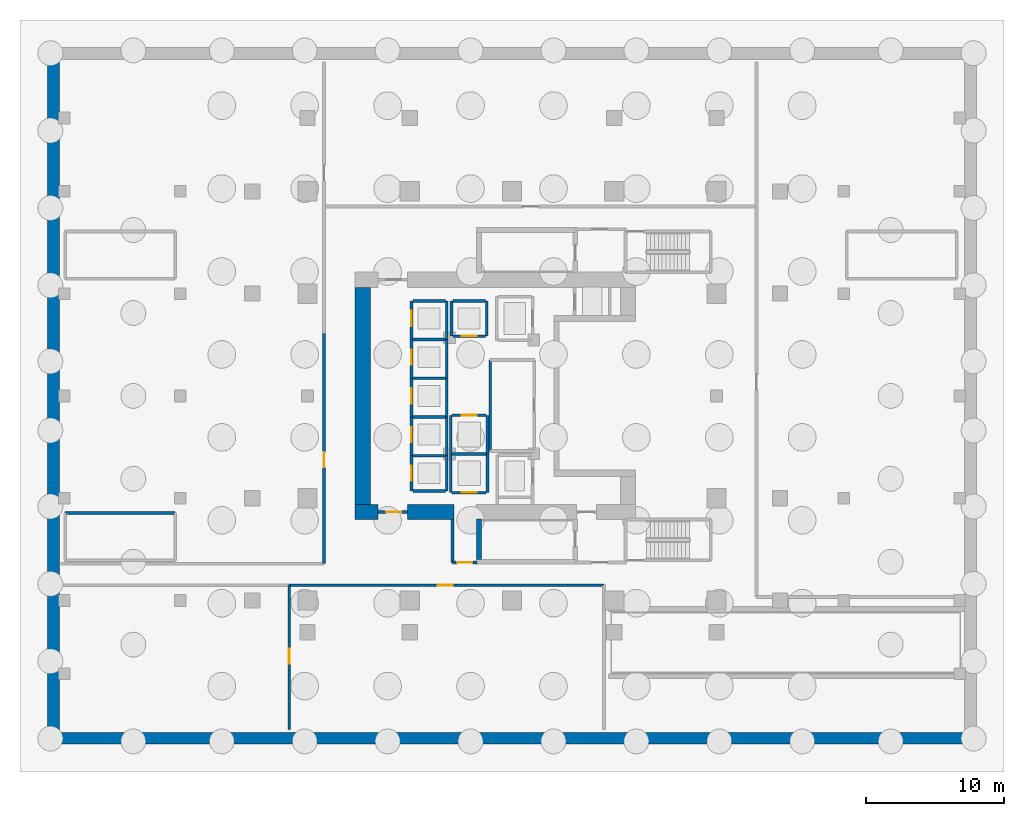
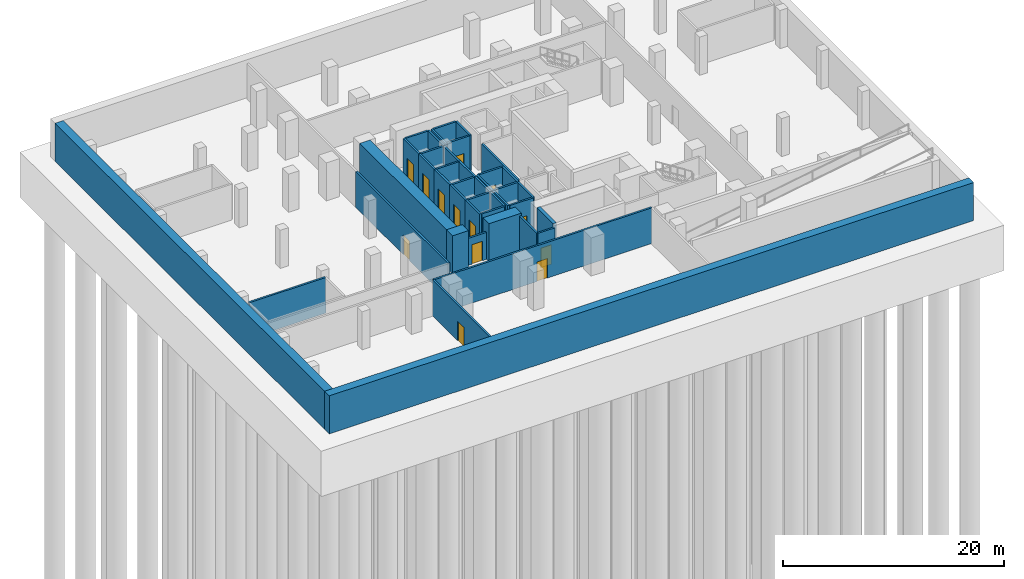
# One storey, part 2 of 6: 41 walls, 13 doors, 13 openings.
"""IFC4 building model written with IfcOpenShell, lengths in metres."""

from ifc_helpers import new_model, si_unit, direction, frame, frame_2d, origin, place, context, subcontext, project, spatial, rectangle, extrude, material, layer, layer_set, type_object, element, fill, save


model = new_model("IFC4")

# Units and contexts
model_context = context("Model", 3, precision=1e-05, world=origin(), true_north=direction((0.0, 1.0)))
body_context = subcontext(model_context, "Body", "Model", "MODEL_VIEW")
ifc_project = project(units=[si_unit("LENGTHUNIT", "METRE"), si_unit("AREAUNIT", "SQUARE_METRE"), si_unit("VOLUMEUNIT", "CUBIC_METRE"), si_unit("PLANEANGLEUNIT", "RADIAN"), si_unit("MASSUNIT", "GRAM", prefix="KILO")], contexts=[model_context])

# Site, building, storey
site_placement = place(None, origin())
site = spatial("IfcSite", under=ifc_project, at=site_placement, CompositionType="ELEMENT")
building_placement = place(site_placement, origin())
building = spatial("IfcBuilding", under=site, at=building_placement, Name="Khorvyn Point Tower", CompositionType="ELEMENT")
storey_placement = place(building_placement, frame((0.0, 0.0, -12.60009765625)))
storey = spatial("IfcBuildingStorey", under=building, at=storey_placement, Name="B3", CompositionType="ELEMENT", Elevation=-12.60009765625)

# Walls
ifc_material_1 = material(Name="Concrete C35/45", Category="concrete")
ifc_layer_1 = layer(ifc_material_1, 0.85009765625)
ifc_layer_set_1 = layer_set([ifc_layer_1], Name="Concrete C35/45 Basement Retaining Wall 850")
wall_type_1 = type_object("IfcWallType", Name="Concrete C35/45 Basement Retaining Wall 850", PredefinedType="SOLIDWALL", material=ifc_layer_set_1)
wall_1_placement = place(storey_placement, frame((-33.60009765625, -24.77490234375, 0.0), z_axis=(0.0, 0.0, 1.0), x_axis=(1.0, 0.0, 0.0)))
element("IfcWall", 1, at=wall_1_placement, inside=storey, type_object=wall_type_1, Name="B3 Basement Retaining Wall S", PredefinedType="SOLIDWALL", context=body_context, shape_type="SweptSolid", body=[
    extrude(rectangle(XDim=67.2001953125, YDim=0.85009765625, at=frame_2d((33.60009765625, 0.0))), origin(), (0.0, 0.0, 1.0), 4.2001953125),
])
wall_2_placement = place(storey_placement, frame((-33.175048828125, -24.35009765625, 0.0), z_axis=(0.0, 0.0, 1.0), x_axis=(0.0, 1.0, 0.0)))
element("IfcWall", 2, at=wall_2_placement, inside=storey, type_object=wall_type_1, Name="B3 Basement Retaining Wall W", PredefinedType="SOLIDWALL", context=body_context, shape_type="SweptSolid", body=[
    extrude(rectangle(XDim=48.7001953125, YDim=0.85009765625, at=frame_2d((24.35009765625, 0.0))), origin(), (0.0, 0.0, 1.0), 4.2001953125),
])

# Wall, opening, door
ifc_material_2 = material(Name="Concrete C35/45 masonry blockwork", Category="masonry")
ifc_layer_2 = layer(ifc_material_2, 0.199951171875)
ifc_layer_set_2 = layer_set([ifc_layer_2], Name="Concrete C35/45 Blockwork Plant Compartment Wall 200")
wall_type_2 = type_object("IfcWallType", Name="Concrete C35/45 Blockwork Plant Compartment Wall 200", PredefinedType="SOLIDWALL", material=ifc_layer_set_2)
wall_3_placement = place(storey_placement, frame((-13.60009765625, -12.139892578125, 0.0), z_axis=(0.0, 0.0, 1.0), x_axis=(0.0, 1.0, 0.0)))
wall_3 = element("IfcWall", 3, at=wall_3_placement, inside=storey, type_object=wall_type_2, Name="Wall", PredefinedType="SOLIDWALL", context=body_context, shape_type="SweptSolid", body=[
    extrude(rectangle(XDim=16.639892578125, YDim=0.199951171875, at=frame_2d((8.31982421875, 0.0))), origin(), (0.0, 0.0, 1.0), 3.940185546875),
])
opening_1_placement = place(wall_3_placement, frame((6.964111328125, 0.0, 0.0)))
opening_1 = element("IfcOpeningElement", 4, at=opening_1_placement, cuts=wall_3, Name="Opening ID-FL90", PredefinedType="OPENING", context=body_context, shape_type="SweptSolid", body=[
    extrude(rectangle(XDim=1.10009765625, YDim=2.14990234375, at=frame_2d((0.550048828125, 1.074951171875))), frame((0.0, 0.10986328125, 0.0), z_axis=(0.0, -1.0, 0.0), x_axis=(1.0, 0.0, 0.0)), (0.0, 0.0, 1.0), 0.219970703125),
])
ifc_material_3 = material(Name="Galvanised powder-coated steel", Category="steel")
door_type_1 = type_object("IfcDoorType", Name="Fire-Rated Steel Lobby and Stair Door 1100x2150", OperationType="NOTDEFINED", PredefinedType="DOOR", material=ifc_material_3)
door_1_placement = place(opening_1_placement, origin())
door_1 = element("IfcDoor", 5, at=door_1_placement, inside=storey, type_object=door_type_1, Name="Door", OperationType="SINGLE_SWING_RIGHT", OverallHeight=2.14990234375, OverallWidth=1.10009765625, PredefinedType="DOOR", context=body_context, shape_type="SweptSolid", body=[
    extrude(rectangle(XDim=1.10009765625, YDim=2.14990234375, at=frame_2d((0.550048828125, 1.074951171875))), frame((0.0, 0.02490234375, 0.0), z_axis=(0.0, -1.0, 0.0), x_axis=(1.0, 0.0, 0.0)), (0.0, 0.0, 1.0), 0.050048828125),
])
fill(opening_1, door_1)

wall_4_placement = place(storey_placement, frame((-16.1201171875, -24.14990234375, 0.0), z_axis=(0.0, 0.0, 1.0), x_axis=(0.0, 1.0, 0.0)))
wall_4 = element("IfcWall", 6, at=wall_4_placement, inside=storey, type_object=wall_type_2, Name="Wall", PredefinedType="SOLIDWALL", context=body_context, shape_type="SweptSolid", body=[
    extrude(rectangle(XDim=10.449951171875, YDim=0.199951171875, at=frame_2d((5.22509765625, 0.0))), origin(), (0.0, 0.0, 1.0), 3.940185546875),
])
opening_2_placement = place(wall_4_placement, frame((4.763427734375, 0.0, 0.0)))
opening_2 = element("IfcOpeningElement", 7, at=opening_2_placement, cuts=wall_4, Name="Opening ID-FL90", PredefinedType="OPENING", context=body_context, shape_type="SweptSolid", body=[
    extrude(rectangle(XDim=1.10009765625, YDim=2.14990234375, at=frame_2d((0.550048828125, 1.074951171875))), frame((0.0, 0.10986328125, 0.0), z_axis=(0.0, -1.0, 0.0), x_axis=(1.0, 0.0, 0.0)), (0.0, 0.0, 1.0), 0.219970703125),
])
door_2_placement = place(opening_2_placement, origin())
door_2 = element("IfcDoor", 8, at=door_2_placement, inside=storey, type_object=door_type_1, Name="Door", OperationType="SINGLE_SWING_RIGHT", OverallHeight=2.14990234375, OverallWidth=1.10009765625, PredefinedType="DOOR", context=body_context, shape_type="SweptSolid", body=[
    extrude(rectangle(XDim=1.10009765625, YDim=2.14990234375, at=frame_2d((0.550048828125, 1.074951171875))), frame((0.0, 0.02490234375, 0.0), z_axis=(0.0, -1.0, 0.0), x_axis=(1.0, 0.0, 0.0)), (0.0, 0.0, 1.0), 0.050048828125),
])
fill(opening_2, door_2)

wall_5_placement = place(storey_placement, frame((-16.1201171875, -13.699951171875, 0.0), z_axis=(0.0, 0.0, 1.0), x_axis=(1.0, 0.0, 0.0)))
wall_5 = element("IfcWall", 9, at=wall_5_placement, inside=storey, type_object=wall_type_2, Name="Wall", PredefinedType="SOLIDWALL", context=body_context, shape_type="SweptSolid", body=[
    extrude(rectangle(XDim=22.77001953125, YDim=0.199951171875, at=frame_2d((11.385009765625, 0.0))), origin(), (0.0, 0.0, 1.0), 3.940185546875),
])
opening_3_placement = place(wall_5_placement, frame((10.745361328125, 0.0, 0.0)))
opening_3 = element("IfcOpeningElement", 10, at=opening_3_placement, cuts=wall_5, Name="Opening ID-FL90", PredefinedType="OPENING", context=body_context, shape_type="SweptSolid", body=[
    extrude(rectangle(XDim=1.10009765625, YDim=2.14990234375, at=frame_2d((0.550048828125, 1.074951171875))), frame((0.0, 0.10986328125, 0.0), z_axis=(0.0, -1.0, 0.0), x_axis=(1.0, 0.0, 0.0)), (0.0, 0.0, 1.0), 0.219970703125),
])
door_3_placement = place(opening_3_placement, origin())
door_3 = element("IfcDoor", 11, at=door_3_placement, inside=storey, type_object=door_type_1, Name="Door", OperationType="SINGLE_SWING_LEFT", OverallHeight=2.14990234375, OverallWidth=1.10009765625, PredefinedType="DOOR", context=body_context, shape_type="SweptSolid", body=[
    extrude(rectangle(XDim=1.10009765625, YDim=2.14990234375, at=frame_2d((0.550048828125, 1.074951171875))), frame((0.0, 0.02490234375, 0.0), z_axis=(0.0, -1.0, 0.0), x_axis=(1.0, 0.0, 0.0)), (0.0, 0.0, 1.0), 0.050048828125),
])
fill(opening_3, door_3)

ifc_material_4 = material(Name="Concrete C40/50", Category="concrete")
ifc_layer_3 = layer(ifc_material_4, 0.199951171875)
ifc_layer_set_3 = layer_set([ifc_layer_3], Name="Concrete C40/50 Fire-Lobby Compartment Wall 200")
wall_type_3 = type_object("IfcWallType", Name="Concrete C40/50 Fire-Lobby Compartment Wall 200", PredefinedType="SOLIDWALL", material=ifc_layer_set_3)
wall_6_placement = place(storey_placement, frame((-9.699951171875, -8.39990234375, 0.0), z_axis=(0.0, 0.0, 1.0), x_axis=(1.0, 0.0, 0.0)))
wall_6 = element("IfcWall", 12, at=wall_6_placement, inside=storey, type_object=wall_type_3, Name="Wall", PredefinedType="SOLIDWALL", context=body_context, shape_type="SweptSolid", body=[
    extrude(rectangle(XDim=2.14990234375, YDim=0.199951171875, at=frame_2d((1.074951171875, 0.0))), origin(), (0.0, 0.0, 1.0), 2.97998046875),
])
opening_4_placement = place(wall_6_placement, frame((0.597900390625, 0.0, 0.0)))
opening_4 = element("IfcOpeningElement", 13, at=opening_4_placement, cuts=wall_6, Name="Opening ID-FL90", PredefinedType="OPENING", context=body_context, shape_type="SweptSolid", body=[
    extrude(rectangle(XDim=1.10009765625, YDim=2.14990234375, at=frame_2d((0.550048828125, 1.074951171875))), frame((0.0, 0.10986328125, 0.0), z_axis=(0.0, -1.0, 0.0), x_axis=(1.0, 0.0, 0.0)), (0.0, 0.0, 1.0), 0.219970703125),
])
door_4_placement = place(opening_4_placement, origin())
door_4 = element("IfcDoor", 14, at=door_4_placement, inside=storey, type_object=door_type_1, Name="Door", OperationType="SINGLE_SWING_RIGHT", OverallHeight=2.14990234375, OverallWidth=1.10009765625, PredefinedType="DOOR", context=body_context, shape_type="SweptSolid", body=[
    extrude(rectangle(XDim=1.10009765625, YDim=2.14990234375, at=frame_2d((0.550048828125, 1.074951171875))), frame((0.0, 0.02490234375, 0.0), z_axis=(0.0, -1.0, 0.0), x_axis=(1.0, 0.0, 0.0)), (0.0, 0.0, 1.0), 0.050048828125),
])
fill(opening_4, door_4)

wall_7_placement = place(storey_placement, frame((-4.300048828125, -12.06005859375, 0.0), z_axis=(0.0, 0.0, 1.0), x_axis=(1.0, 0.0, 0.0)))
wall_7 = element("IfcWall", 15, at=wall_7_placement, inside=storey, type_object=wall_type_3, Name="Wall", PredefinedType="SOLIDWALL", context=body_context, shape_type="SweptSolid", body=[
    extrude(rectangle(XDim=1.75, YDim=0.199951171875, at=frame_2d((0.875, 0.0))), origin(), (0.0, 0.0, 1.0), 3.940185546875),
])
opening_5_placement = place(wall_7_placement, frame((0.324951171875, 0.0, 0.0)))
opening_5 = element("IfcOpeningElement", 16, at=opening_5_placement, cuts=wall_7, Name="Opening ID-FL90", PredefinedType="OPENING", context=body_context, shape_type="SweptSolid", body=[
    extrude(rectangle(XDim=1.10009765625, YDim=2.14990234375, at=frame_2d((0.550048828125, 1.074951171875))), frame((0.0, 0.10986328125, 0.0), z_axis=(0.0, -1.0, 0.0), x_axis=(1.0, 0.0, 0.0)), (0.0, 0.0, 1.0), 0.219970703125),
])
door_5_placement = place(opening_5_placement, origin())
door_5 = element("IfcDoor", 17, at=door_5_placement, inside=storey, type_object=door_type_1, Name="Door", OperationType="SINGLE_SWING_RIGHT", OverallHeight=2.14990234375, OverallWidth=1.10009765625, PredefinedType="DOOR", context=body_context, shape_type="SweptSolid", body=[
    extrude(rectangle(XDim=1.10009765625, YDim=2.14990234375, at=frame_2d((0.550048828125, 1.074951171875))), frame((0.0, 0.02490234375, 0.0), z_axis=(0.0, -1.0, 0.0), x_axis=(1.0, 0.0, 0.0)), (0.0, 0.0, 1.0), 0.050048828125),
])
fill(opening_5, door_5)

# Walls
wall_8_placement = place(storey_placement, frame((-4.300048828125, -12.06005859375, 0.0), z_axis=(0.0, 0.0, 1.0), x_axis=(0.0, 1.0, 0.0)))
element("IfcWall", 18, at=wall_8_placement, inside=storey, type_object=wall_type_3, Name="Wall", PredefinedType="SOLIDWALL", context=body_context, shape_type="SweptSolid", body=[
    extrude(rectangle(XDim=3.110107421875, YDim=0.199951171875, at=frame_2d((1.55517578125, 0.0))), origin(), (0.0, 0.0, 1.0), 3.940185546875),
])
wall_9_placement = place(storey_placement, frame((-1.580078125, -3.97998046875, 0.0), z_axis=(0.0, 0.0, 1.0), x_axis=(0.0, 1.0, 0.0)))
element("IfcWall", 19, at=wall_9_placement, inside=storey, type_object=wall_type_3, Name="Wall", PredefinedType="SOLIDWALL", context=body_context, shape_type="SweptSolid", body=[
    extrude(rectangle(XDim=6.580078125, YDim=0.199951171875, at=frame_2d((3.2900390625, 0.0))), origin(), (0.0, 0.0, 1.0), 3.940185546875),
])
ifc_layer_4 = layer(ifc_material_4, 0.35009765625)
ifc_layer_set_4 = layer_set([ifc_layer_4], Name="Concrete C40/50 Stair Shaft Structural Wall 350")
wall_type_4 = type_object("IfcWallType", Name="Concrete C40/50 Stair Shaft Structural Wall 350", PredefinedType="SHEAR", material=ifc_layer_set_4)
wall_10_placement = place(storey_placement, frame((-2.3798828125, -11.824951171875, 0.0), z_axis=(0.0, 0.0, 1.0), x_axis=(0.0, 1.0, 0.0)))
element("IfcWall", 20, at=wall_10_placement, inside=storey, type_object=wall_type_4, Name="B3 ST-01 West Shaft Wall", PredefinedType="SHEAR", context=body_context, shape_type="SweptSolid", body=[
    extrude(rectangle(XDim=2.925048828125, YDim=0.35009765625, at=frame_2d((1.46240234375, 0.0))), origin(), (0.0, 0.0, 1.0), 4.2001953125),
])

# Wall, opening, door
ifc_layer_5 = layer(ifc_material_4, 0.199951171875)
ifc_layer_set_5 = layer_set([ifc_layer_5], Name="Concrete C40/50 Structural Hoistway and Stair Shaft Wall 200")
wall_type_5 = type_object("IfcWallType", Name="Concrete C40/50 Structural Hoistway and Stair Shaft Wall 200", PredefinedType="SHEAR", material=ifc_layer_set_5)
wall_11_placement = place(storey_placement, frame((-7.27490234375, -6.875, 0.0), z_axis=(0.0, 0.0, 1.0), x_axis=(0.0, 1.0, 0.0)))
wall_11 = element("IfcWall", 21, at=wall_11_placement, inside=storey, type_object=wall_type_5, Name="Wall", PredefinedType="SHEAR", context=body_context, shape_type="SweptSolid", body=[
    extrude(rectangle(XDim=2.550048828125, YDim=0.199951171875, at=frame_2d((1.27490234375, 0.0))), origin(), (0.0, 0.0, 1.0), 3.940185546875),
])
opening_6_placement = place(wall_11_placement, frame((0.72509765625, 0.0, 0.0)))
opening_6 = element("IfcOpeningElement", 22, at=opening_6_placement, cuts=wall_11, Name="Opening LD-1122", PredefinedType="OPENING", context=body_context, shape_type="SweptSolid", body=[
    extrude(rectangle(XDim=1.10009765625, YDim=2.199951171875, at=frame_2d((0.550048828125, 1.10009765625))), frame((0.0, 0.10986328125, 0.0), z_axis=(0.0, -1.0, 0.0), x_axis=(1.0, 0.0, 0.0)), (0.0, 0.0, 1.0), 0.219970703125),
])
ifc_material_5 = material(Name="Stainless steel 1.4301", Category="steel")
door_type_2 = type_object("IfcDoorType", Name="Stainless Steel Automatic Sliding Lift Landing Door 1100x2200", OperationType="SLIDING_TO_LEFT", PredefinedType="DOOR", material=ifc_material_5)
door_6_placement = place(opening_6_placement, origin())
door_6 = element("IfcDoor", 23, at=door_6_placement, inside=storey, type_object=door_type_2, Name="B3 RL-01 Sliding Lift Landing Door", OperationType="SLIDING_TO_LEFT", OverallHeight=2.199951171875, OverallWidth=1.10009765625, PredefinedType="DOOR", context=body_context, shape_type="SweptSolid", body=[
    extrude(rectangle(XDim=1.10009765625, YDim=2.199951171875, at=frame_2d((0.550048828125, 1.10009765625))), frame((0.0, 0.02490234375, 0.0), z_axis=(0.0, -1.0, 0.0), x_axis=(1.0, 0.0, 0.0)), (0.0, 0.0, 1.0), 0.050048828125),
])
fill(opening_6, door_6)

# Walls
wall_12_placement = place(storey_placement, frame((-4.72509765625, -6.875, 0.0), z_axis=(0.0, 0.0, 1.0), x_axis=(0.0, 1.0, 0.0)))
element("IfcWall", 24, at=wall_12_placement, inside=storey, type_object=wall_type_5, Name="Wall", PredefinedType="SHEAR", context=body_context, shape_type="SweptSolid", body=[
    extrude(rectangle(XDim=2.550048828125, YDim=0.199951171875, at=frame_2d((1.27490234375, 0.0))), origin(), (0.0, 0.0, 1.0), 3.940185546875),
])
for number, where, z_axis, x_axis, name in (
    (25, (-7.175048828125, -6.875, 0.0), (0.0, 0.0, 1.0), (1.0, 0.0, 0.0), "Wall"),
    (26, (-7.175048828125, -4.324951171875, 0.0), (0.0, 0.0, 1.0), (1.0, 0.0, 0.0), "Wall"),
):
    element("IfcWall", number, at=place(storey_placement, frame(where, z_axis=z_axis, x_axis=x_axis)), inside=storey, type_object=wall_type_5, Name=name, PredefinedType="SHEAR", context=body_context, shape_type="SweptSolid", body=[
        extrude(rectangle(XDim=2.35009765625, YDim=0.199951171875, at=frame_2d((1.175048828125, 0.0))), origin(), (0.0, 0.0, 1.0), 3.940185546875),
    ])

# Wall, opening, door
wall_13_placement = place(storey_placement, frame((-7.27490234375, -4.324951171875, 0.0), z_axis=(0.0, 0.0, 1.0), x_axis=(0.0, 1.0, 0.0)))
wall_13 = element("IfcWall", 27, at=wall_13_placement, inside=storey, type_object=wall_type_5, Name="Wall", PredefinedType="SHEAR", context=body_context, shape_type="SweptSolid", body=[
    extrude(rectangle(XDim=2.800048828125, YDim=0.199951171875, at=frame_2d((1.39990234375, 0.0))), origin(), (0.0, 0.0, 1.0), 3.940185546875),
])
opening_7_placement = place(wall_13_placement, frame((0.97509765625, 0.0, 0.0)))
opening_7 = element("IfcOpeningElement", 28, at=opening_7_placement, cuts=wall_13, Name="Opening LD-1122", PredefinedType="OPENING", context=body_context, shape_type="SweptSolid", body=[
    extrude(rectangle(XDim=1.10009765625, YDim=2.199951171875, at=frame_2d((0.550048828125, 1.10009765625))), frame((0.0, 0.10986328125, 0.0), z_axis=(0.0, -1.0, 0.0), x_axis=(1.0, 0.0, 0.0)), (0.0, 0.0, 1.0), 0.219970703125),
])
door_7_placement = place(opening_7_placement, origin())
door_7 = element("IfcDoor", 29, at=door_7_placement, inside=storey, type_object=door_type_2, Name="B3 RL-02 Sliding Lift Landing Door", OperationType="SLIDING_TO_LEFT", OverallHeight=2.199951171875, OverallWidth=1.10009765625, PredefinedType="DOOR", context=body_context, shape_type="SweptSolid", body=[
    extrude(rectangle(XDim=1.10009765625, YDim=2.199951171875, at=frame_2d((0.550048828125, 1.10009765625))), frame((0.0, 0.02490234375, 0.0), z_axis=(0.0, -1.0, 0.0), x_axis=(1.0, 0.0, 0.0)), (0.0, 0.0, 1.0), 0.050048828125),
])
fill(opening_7, door_7)

# Walls
wall_14_placement = place(storey_placement, frame((-4.72509765625, -4.324951171875, 0.0), z_axis=(0.0, 0.0, 1.0), x_axis=(0.0, 1.0, 0.0)))
element("IfcWall", 30, at=wall_14_placement, inside=storey, type_object=wall_type_5, Name="Wall", PredefinedType="SHEAR", context=body_context, shape_type="SweptSolid", body=[
    extrude(rectangle(XDim=2.800048828125, YDim=0.199951171875, at=frame_2d((1.39990234375, 0.0))), origin(), (0.0, 0.0, 1.0), 3.940185546875),
])
wall_15_placement = place(storey_placement, frame((-7.175048828125, -1.52490234375, 0.0), z_axis=(0.0, 0.0, 1.0), x_axis=(1.0, 0.0, 0.0)))
element("IfcWall", 31, at=wall_15_placement, inside=storey, type_object=wall_type_5, Name="Wall", PredefinedType="SHEAR", context=body_context, shape_type="SweptSolid", body=[
    extrude(rectangle(XDim=2.35009765625, YDim=0.199951171875, at=frame_2d((1.175048828125, 0.0))), origin(), (0.0, 0.0, 1.0), 3.940185546875),
])

# Wall, opening, door
wall_16_placement = place(storey_placement, frame((-7.27490234375, -1.52490234375, 0.0), z_axis=(0.0, 0.0, 1.0), x_axis=(0.0, 1.0, 0.0)))
wall_16 = element("IfcWall", 32, at=wall_16_placement, inside=storey, type_object=wall_type_5, Name="Wall", PredefinedType="SHEAR", context=body_context, shape_type="SweptSolid", body=[
    extrude(rectangle(XDim=2.7998046875, YDim=0.199951171875, at=frame_2d((1.39990234375, 0.0))), origin(), (0.0, 0.0, 1.0), 3.940185546875),
])
opening_8_placement = place(wall_16_placement, frame((0.97509765625, 0.0, 0.0)))
opening_8 = element("IfcOpeningElement", 33, at=opening_8_placement, cuts=wall_16, Name="Opening LD-1122", PredefinedType="OPENING", context=body_context, shape_type="SweptSolid", body=[
    extrude(rectangle(XDim=1.10009765625, YDim=2.199951171875, at=frame_2d((0.550048828125, 1.10009765625))), frame((0.0, 0.10986328125, 0.0), z_axis=(0.0, -1.0, 0.0), x_axis=(1.0, 0.0, 0.0)), (0.0, 0.0, 1.0), 0.219970703125),
])
door_8_placement = place(opening_8_placement, origin())
door_8 = element("IfcDoor", 34, at=door_8_placement, inside=storey, type_object=door_type_2, Name="B3 RL-03 Sliding Lift Landing Door", OperationType="SLIDING_TO_LEFT", OverallHeight=2.199951171875, OverallWidth=1.10009765625, PredefinedType="DOOR", context=body_context, shape_type="SweptSolid", body=[
    extrude(rectangle(XDim=1.10009765625, YDim=2.199951171875, at=frame_2d((0.550048828125, 1.10009765625))), frame((0.0, 0.02490234375, 0.0), z_axis=(0.0, -1.0, 0.0), x_axis=(1.0, 0.0, 0.0)), (0.0, 0.0, 1.0), 0.050048828125),
])
fill(opening_8, door_8)

# Walls
wall_17_placement = place(storey_placement, frame((-4.72509765625, -1.52490234375, 0.0), z_axis=(0.0, 0.0, 1.0), x_axis=(0.0, 1.0, 0.0)))
element("IfcWall", 35, at=wall_17_placement, inside=storey, type_object=wall_type_5, Name="Wall", PredefinedType="SHEAR", context=body_context, shape_type="SweptSolid", body=[
    extrude(rectangle(XDim=2.7998046875, YDim=0.199951171875, at=frame_2d((1.39990234375, 0.0))), origin(), (0.0, 0.0, 1.0), 3.940185546875),
])
wall_18_placement = place(storey_placement, frame((-7.175048828125, 1.27490234375, 0.0), z_axis=(0.0, 0.0, 1.0), x_axis=(1.0, 0.0, 0.0)))
element("IfcWall", 36, at=wall_18_placement, inside=storey, type_object=wall_type_5, Name="Wall", PredefinedType="SHEAR", context=body_context, shape_type="SweptSolid", body=[
    extrude(rectangle(XDim=2.35009765625, YDim=0.199951171875, at=frame_2d((1.175048828125, 0.0))), origin(), (0.0, 0.0, 1.0), 3.940185546875),
])

# Wall, opening, door
wall_19_placement = place(storey_placement, frame((-7.27490234375, 1.27490234375, 0.0), z_axis=(0.0, 0.0, 1.0), x_axis=(0.0, 1.0, 0.0)))
wall_19 = element("IfcWall", 37, at=wall_19_placement, inside=storey, type_object=wall_type_5, Name="Wall", PredefinedType="SHEAR", context=body_context, shape_type="SweptSolid", body=[
    extrude(rectangle(XDim=2.800048828125, YDim=0.199951171875, at=frame_2d((1.39990234375, 0.0))), origin(), (0.0, 0.0, 1.0), 3.940185546875),
])
opening_9_placement = place(wall_19_placement, frame((0.97509765625, 0.0, 0.0)))
opening_9 = element("IfcOpeningElement", 38, at=opening_9_placement, cuts=wall_19, Name="Opening LD-1122", PredefinedType="OPENING", context=body_context, shape_type="SweptSolid", body=[
    extrude(rectangle(XDim=1.10009765625, YDim=2.199951171875, at=frame_2d((0.550048828125, 1.10009765625))), frame((0.0, 0.10986328125, 0.0), z_axis=(0.0, -1.0, 0.0), x_axis=(1.0, 0.0, 0.0)), (0.0, 0.0, 1.0), 0.219970703125),
])
door_9_placement = place(opening_9_placement, origin())
door_9 = element("IfcDoor", 39, at=door_9_placement, inside=storey, type_object=door_type_2, Name="B3 RM-01 Sliding Lift Landing Door", OperationType="SLIDING_TO_LEFT", OverallHeight=2.199951171875, OverallWidth=1.10009765625, PredefinedType="DOOR", context=body_context, shape_type="SweptSolid", body=[
    extrude(rectangle(XDim=1.10009765625, YDim=2.199951171875, at=frame_2d((0.550048828125, 1.10009765625))), frame((0.0, 0.02490234375, 0.0), z_axis=(0.0, -1.0, 0.0), x_axis=(1.0, 0.0, 0.0)), (0.0, 0.0, 1.0), 0.050048828125),
])
fill(opening_9, door_9)

# Walls
wall_20_placement = place(storey_placement, frame((-4.72509765625, 1.27490234375, 0.0), z_axis=(0.0, 0.0, 1.0), x_axis=(0.0, 1.0, 0.0)))
element("IfcWall", 40, at=wall_20_placement, inside=storey, type_object=wall_type_5, Name="Wall", PredefinedType="SHEAR", context=body_context, shape_type="SweptSolid", body=[
    extrude(rectangle(XDim=2.800048828125, YDim=0.199951171875, at=frame_2d((1.39990234375, 0.0))), origin(), (0.0, 0.0, 1.0), 3.940185546875),
])
wall_21_placement = place(storey_placement, frame((-7.175048828125, 4.074951171875, 0.0), z_axis=(0.0, 0.0, 1.0), x_axis=(1.0, 0.0, 0.0)))
element("IfcWall", 41, at=wall_21_placement, inside=storey, type_object=wall_type_5, Name="Wall", PredefinedType="SHEAR", context=body_context, shape_type="SweptSolid", body=[
    extrude(rectangle(XDim=2.35009765625, YDim=0.199951171875, at=frame_2d((1.175048828125, 0.0))), origin(), (0.0, 0.0, 1.0), 3.940185546875),
])

# Wall, opening, door
wall_22_placement = place(storey_placement, frame((-7.27490234375, 4.074951171875, 0.0), z_axis=(0.0, 0.0, 1.0), x_axis=(0.0, 1.0, 0.0)))
wall_22 = element("IfcWall", 42, at=wall_22_placement, inside=storey, type_object=wall_type_5, Name="Wall", PredefinedType="SHEAR", context=body_context, shape_type="SweptSolid", body=[
    extrude(rectangle(XDim=2.800048828125, YDim=0.199951171875, at=frame_2d((1.39990234375, 0.0))), origin(), (0.0, 0.0, 1.0), 3.940185546875),
])
opening_10_placement = place(wall_22_placement, frame((0.97509765625, 0.0, 0.0)))
opening_10 = element("IfcOpeningElement", 43, at=opening_10_placement, cuts=wall_22, Name="Opening LD-1122", PredefinedType="OPENING", context=body_context, shape_type="SweptSolid", body=[
    extrude(rectangle(XDim=1.10009765625, YDim=2.199951171875, at=frame_2d((0.550048828125, 1.10009765625))), frame((0.0, 0.10986328125, 0.0), z_axis=(0.0, -1.0, 0.0), x_axis=(1.0, 0.0, 0.0)), (0.0, 0.0, 1.0), 0.219970703125),
])
door_10_placement = place(opening_10_placement, origin())
door_10 = element("IfcDoor", 44, at=door_10_placement, inside=storey, type_object=door_type_2, Name="B3 RM-02 Sliding Lift Landing Door", OperationType="SLIDING_TO_LEFT", OverallHeight=2.199951171875, OverallWidth=1.10009765625, PredefinedType="DOOR", context=body_context, shape_type="SweptSolid", body=[
    extrude(rectangle(XDim=1.10009765625, YDim=2.199951171875, at=frame_2d((0.550048828125, 1.10009765625))), frame((0.0, 0.02490234375, 0.0), z_axis=(0.0, -1.0, 0.0), x_axis=(1.0, 0.0, 0.0)), (0.0, 0.0, 1.0), 0.050048828125),
])
fill(opening_10, door_10)

# Walls
wall_23_placement = place(storey_placement, frame((-4.72509765625, 4.074951171875, 0.0), z_axis=(0.0, 0.0, 1.0), x_axis=(0.0, 1.0, 0.0)))
element("IfcWall", 45, at=wall_23_placement, inside=storey, type_object=wall_type_5, Name="Wall", PredefinedType="SHEAR", context=body_context, shape_type="SweptSolid", body=[
    extrude(rectangle(XDim=2.800048828125, YDim=0.199951171875, at=frame_2d((1.39990234375, 0.0))), origin(), (0.0, 0.0, 1.0), 3.940185546875),
])
wall_24_placement = place(storey_placement, frame((-7.175048828125, 6.875, 0.0), z_axis=(0.0, 0.0, 1.0), x_axis=(1.0, 0.0, 0.0)))
element("IfcWall", 46, at=wall_24_placement, inside=storey, type_object=wall_type_5, Name="Wall", PredefinedType="SHEAR", context=body_context, shape_type="SweptSolid", body=[
    extrude(rectangle(XDim=2.35009765625, YDim=0.199951171875, at=frame_2d((1.175048828125, 0.0))), origin(), (0.0, 0.0, 1.0), 3.940185546875),
])
for number, where, z_axis, x_axis, name in (
    (47, (-4.375, 4.324951171875, 0.0), (0.0, 0.0, 1.0), (0.0, 1.0, 0.0), "Wall"),
    (48, (-1.824951171875, 4.324951171875, 0.0), (0.0, 0.0, 1.0), (0.0, 1.0, 0.0), "Wall"),
):
    element("IfcWall", number, at=place(storey_placement, frame(where, z_axis=z_axis, x_axis=x_axis)), inside=storey, type_object=wall_type_5, Name=name, PredefinedType="SHEAR", context=body_context, shape_type="SweptSolid", body=[
        extrude(rectangle(XDim=2.550048828125, YDim=0.199951171875, at=frame_2d((1.27490234375, 0.0))), origin(), (0.0, 0.0, 1.0), 3.940185546875),
    ])

# Wall, opening, door
wall_25_placement = place(storey_placement, frame((-4.27490234375, 4.324951171875, 0.0), z_axis=(0.0, 0.0, 1.0), x_axis=(1.0, 0.0, 0.0)))
wall_25 = element("IfcWall", 49, at=wall_25_placement, inside=storey, type_object=wall_type_5, Name="Wall", PredefinedType="SHEAR", context=body_context, shape_type="SweptSolid", body=[
    extrude(rectangle(XDim=2.349853515625, YDim=0.199951171875, at=frame_2d((1.1748046875, 0.0))), origin(), (0.0, 0.0, 1.0), 3.940185546875),
])
opening_11_placement = place(wall_25_placement, frame((0.625, 0.0, 0.0)))
opening_11 = element("IfcOpeningElement", 50, at=opening_11_placement, cuts=wall_25, Name="Opening LD-1122", PredefinedType="OPENING", context=body_context, shape_type="SweptSolid", body=[
    extrude(rectangle(XDim=1.10009765625, YDim=2.199951171875, at=frame_2d((0.550048828125, 1.10009765625))), frame((0.0, 0.10986328125, 0.0), z_axis=(0.0, -1.0, 0.0), x_axis=(1.0, 0.0, 0.0)), (0.0, 0.0, 1.0), 0.219970703125),
])
door_11_placement = place(opening_11_placement, origin())
door_11 = element("IfcDoor", 51, at=door_11_placement, inside=storey, type_object=door_type_2, Name="B3 RM-03 Sliding Lift Landing Door", OperationType="SLIDING_TO_LEFT", OverallHeight=2.199951171875, OverallWidth=1.10009765625, PredefinedType="DOOR", context=body_context, shape_type="SweptSolid", body=[
    extrude(rectangle(XDim=1.10009765625, YDim=2.199951171875, at=frame_2d((0.550048828125, 1.10009765625))), frame((0.0, 0.02490234375, 0.0), z_axis=(0.0, -1.0, 0.0), x_axis=(1.0, 0.0, 0.0)), (0.0, 0.0, 1.0), 0.050048828125),
])
fill(opening_11, door_11)

# Walls
wall_26_placement = place(storey_placement, frame((-4.27490234375, 6.875, 0.0), z_axis=(0.0, 0.0, 1.0), x_axis=(1.0, 0.0, 0.0)))
element("IfcWall", 52, at=wall_26_placement, inside=storey, type_object=wall_type_5, Name="Wall", PredefinedType="SHEAR", context=body_context, shape_type="SweptSolid", body=[
    extrude(rectangle(XDim=2.349853515625, YDim=0.199951171875, at=frame_2d((1.1748046875, 0.0))), origin(), (0.0, 0.0, 1.0), 3.940185546875),
])
for number, where, z_axis, x_axis, name in (
    (53, (-4.425048828125, -7.0, 0.0), (0.0, 0.0, 1.0), (0.0, 1.0, 0.0), "Wall"),
    (54, (-1.77490234375, -7.0, 0.0), (0.0, 0.0, 1.0), (0.0, 1.0, 0.0), "Wall"),
):
    element("IfcWall", number, at=place(storey_placement, frame(where, z_axis=z_axis, x_axis=x_axis)), inside=storey, type_object=wall_type_5, Name=name, PredefinedType="SHEAR", context=body_context, shape_type="SweptSolid", body=[
        extrude(rectangle(XDim=2.800048828125, YDim=0.199951171875, at=frame_2d((1.39990234375, 0.0))), origin(), (0.0, 0.0, 1.0), 3.940185546875),
    ])

# Wall, opening, door
wall_27_placement = place(storey_placement, frame((-4.324951171875, -7.0, 0.0), z_axis=(0.0, 0.0, 1.0), x_axis=(1.0, 0.0, 0.0)))
wall_27 = element("IfcWall", 55, at=wall_27_placement, inside=storey, type_object=wall_type_5, Name="Wall", PredefinedType="SHEAR", context=body_context, shape_type="SweptSolid", body=[
    extrude(rectangle(XDim=2.449951171875, YDim=0.199951171875, at=frame_2d((1.22509765625, 0.0))), origin(), (0.0, 0.0, 1.0), 3.940185546875),
])
opening_12_placement = place(wall_27_placement, frame((0.675048828125, 0.0, 0.0)))
opening_12 = element("IfcOpeningElement", 56, at=opening_12_placement, cuts=wall_27, Name="Opening LD-1122", PredefinedType="OPENING", context=body_context, shape_type="SweptSolid", body=[
    extrude(rectangle(XDim=1.10009765625, YDim=2.199951171875, at=frame_2d((0.550048828125, 1.10009765625))), frame((0.0, 0.10986328125, 0.0), z_axis=(0.0, -1.0, 0.0), x_axis=(1.0, 0.0, 0.0)), (0.0, 0.0, 1.0), 0.219970703125),
])
door_12_placement = place(opening_12_placement, origin())
door_12 = element("IfcDoor", 57, at=door_12_placement, inside=storey, type_object=door_type_2, Name="B3 RS-01 Sliding Lift Landing Door", OperationType="SLIDING_TO_LEFT", OverallHeight=2.199951171875, OverallWidth=1.10009765625, PredefinedType="DOOR", context=body_context, shape_type="SweptSolid", body=[
    extrude(rectangle(XDim=1.10009765625, YDim=2.199951171875, at=frame_2d((0.550048828125, 1.10009765625))), frame((0.0, 0.02490234375, 0.0), z_axis=(0.0, -1.0, 0.0), x_axis=(1.0, 0.0, 0.0)), (0.0, 0.0, 1.0), 0.050048828125),
])
fill(opening_12, door_12)

# Walls
wall_28_placement = place(storey_placement, frame((-4.324951171875, -4.199951171875, 0.0), z_axis=(0.0, 0.0, 1.0), x_axis=(1.0, 0.0, 0.0)))
element("IfcWall", 58, at=wall_28_placement, inside=storey, type_object=wall_type_5, Name="Wall", PredefinedType="SHEAR", context=body_context, shape_type="SweptSolid", body=[
    extrude(rectangle(XDim=2.449951171875, YDim=0.199951171875, at=frame_2d((1.22509765625, 0.0))), origin(), (0.0, 0.0, 1.0), 3.940185546875),
])
for number, where, z_axis, x_axis, name in (
    (59, (-4.425048828125, -4.199951171875, 0.0), (0.0, 0.0, 1.0), (0.0, 1.0, 0.0), "Wall"),
    (60, (-1.77490234375, -4.199951171875, 0.0), (0.0, 0.0, 1.0), (0.0, 1.0, 0.0), "Wall"),
):
    element("IfcWall", number, at=place(storey_placement, frame(where, z_axis=z_axis, x_axis=x_axis)), inside=storey, type_object=wall_type_5, Name=name, PredefinedType="SHEAR", context=body_context, shape_type="SweptSolid", body=[
        extrude(rectangle(XDim=2.800048828125, YDim=0.199951171875, at=frame_2d((1.39990234375, 0.0))), origin(), (0.0, 0.0, 1.0), 3.940185546875),
    ])

# Wall, opening, door
wall_29_placement = place(storey_placement, frame((-4.324951171875, -1.39990234375, 0.0), z_axis=(0.0, 0.0, 1.0), x_axis=(1.0, 0.0, 0.0)))
wall_29 = element("IfcWall", 61, at=wall_29_placement, inside=storey, type_object=wall_type_5, Name="Wall", PredefinedType="SHEAR", context=body_context, shape_type="SweptSolid", body=[
    extrude(rectangle(XDim=2.449951171875, YDim=0.199951171875, at=frame_2d((1.22509765625, 0.0))), origin(), (0.0, 0.0, 1.0), 3.940185546875),
])
opening_13_placement = place(wall_29_placement, frame((0.675048828125, 0.0, 0.0)))
opening_13 = element("IfcOpeningElement", 62, at=opening_13_placement, cuts=wall_29, Name="Opening LD-1122", PredefinedType="OPENING", context=body_context, shape_type="SweptSolid", body=[
    extrude(rectangle(XDim=1.10009765625, YDim=2.199951171875, at=frame_2d((0.550048828125, 1.10009765625))), frame((0.0, 0.10986328125, 0.0), z_axis=(0.0, -1.0, 0.0), x_axis=(1.0, 0.0, 0.0)), (0.0, 0.0, 1.0), 0.219970703125),
])
door_13_placement = place(opening_13_placement, origin())
door_13 = element("IfcDoor", 63, at=door_13_placement, inside=storey, type_object=door_type_2, Name="B3 RS-02 Sliding Lift Landing Door", OperationType="SLIDING_TO_LEFT", OverallHeight=2.199951171875, OverallWidth=1.10009765625, PredefinedType="DOOR", context=body_context, shape_type="SweptSolid", body=[
    extrude(rectangle(XDim=1.10009765625, YDim=2.199951171875, at=frame_2d((0.550048828125, 1.10009765625))), frame((0.0, 0.02490234375, 0.0), z_axis=(0.0, -1.0, 0.0), x_axis=(1.0, 0.0, 0.0)), (0.0, 0.0, 1.0), 0.050048828125),
])
fill(opening_13, door_13)

# Walls
wall_30_placement = place(storey_placement, frame((-32.330078125, -8.47998046875, 0.0), z_axis=(0.0, 0.0, 1.0), x_axis=(1.0, 0.0, 0.0)))
element("IfcWall", 64, at=wall_30_placement, inside=storey, type_object=wall_type_5, Name="Wall", PredefinedType="SHEAR", context=body_context, shape_type="SweptSolid", body=[
    extrude(rectangle(XDim=7.9599609375, YDim=0.199951171875, at=frame_2d((3.97998046875, 0.0))), origin(), (0.0, 0.0, 1.0), 3.940185546875),
])
ifc_material_6 = material(Name="Concrete C50/60", Category="concrete")
ifc_layer_6 = layer(ifc_material_6, 1.10009765625)
ifc_layer_set_6 = layer_set([ifc_layer_6], Name="Concrete C50/60 Core Shear Wall 1100")
wall_type_6 = type_object("IfcWallType", Name="Concrete C50/60 Core Shear Wall 1100", PredefinedType="SHEAR", material=ifc_layer_set_6)
wall_31_placement = place(storey_placement, frame((-11.35009765625, -8.39990234375, 0.0), z_axis=(0.0, 0.0, 1.0), x_axis=(1.0, 0.0, 0.0)))
element("IfcWall", 65, at=wall_31_placement, inside=storey, type_object=wall_type_6, Name="Wall", PredefinedType="SHEAR", context=body_context, shape_type="SweptSolid", body=[
    extrude(rectangle(XDim=1.650146484375, YDim=1.10009765625, at=frame_2d((0.8251953125, 0.0))), origin(), (0.0, 0.0, 1.0), 4.2001953125),
])
wall_32_placement = place(storey_placement, frame((-7.550048828125, -8.39990234375, 0.0), z_axis=(0.0, 0.0, 1.0), x_axis=(1.0, 0.0, 0.0)))
element("IfcWall", 66, at=wall_32_placement, inside=storey, type_object=wall_type_6, Name="Wall", PredefinedType="SHEAR", context=body_context, shape_type="SweptSolid", body=[
    extrude(rectangle(XDim=3.35009765625, YDim=1.10009765625, at=frame_2d((1.675048828125, 0.0))), origin(), (0.0, 0.0, 1.0), 4.2001953125),
])
wall_33_placement = place(storey_placement, frame((-10.800048828125, -7.85009765625, 0.0), z_axis=(0.0, 0.0, 1.0), x_axis=(0.0, 1.0, 0.0)))
element("IfcWall", 67, at=wall_33_placement, inside=storey, type_object=wall_type_6, Name="Wall", PredefinedType="SHEAR", context=body_context, shape_type="SweptSolid", body=[
    extrude(rectangle(XDim=15.7001953125, YDim=1.10009765625, at=frame_2d((7.85009765625, 0.0))), origin(), (0.0, 0.0, 1.0), 4.2001953125),
])

save(model, "model.ifc")
